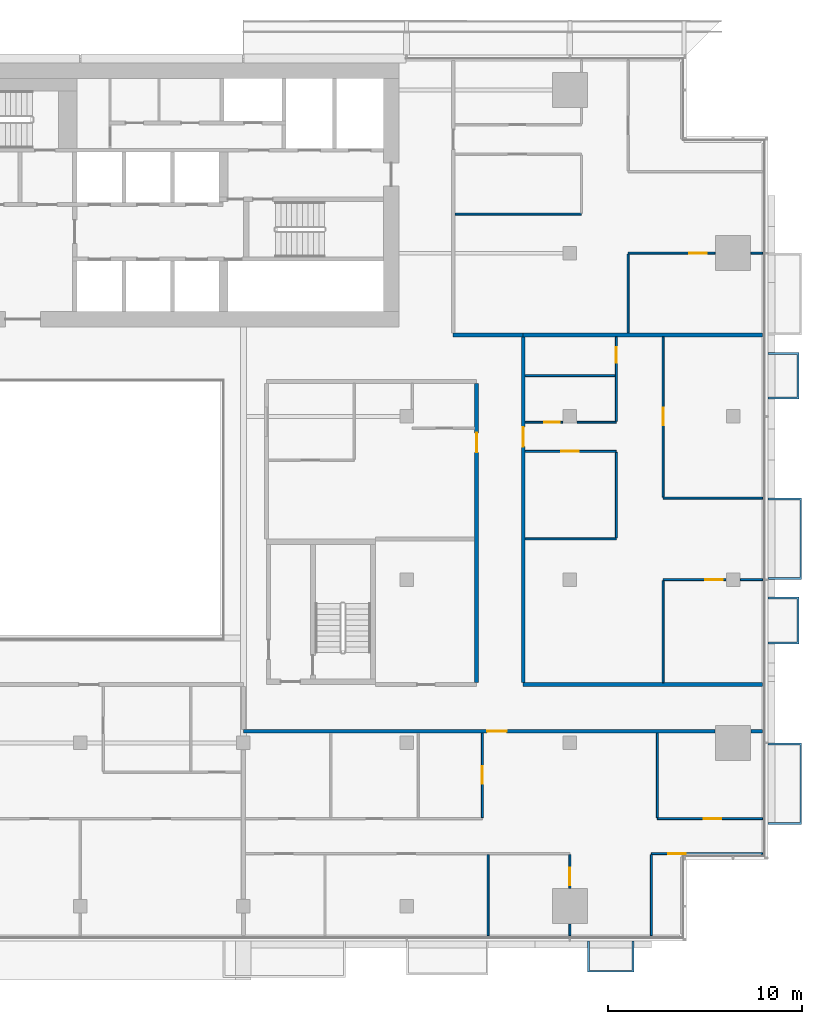
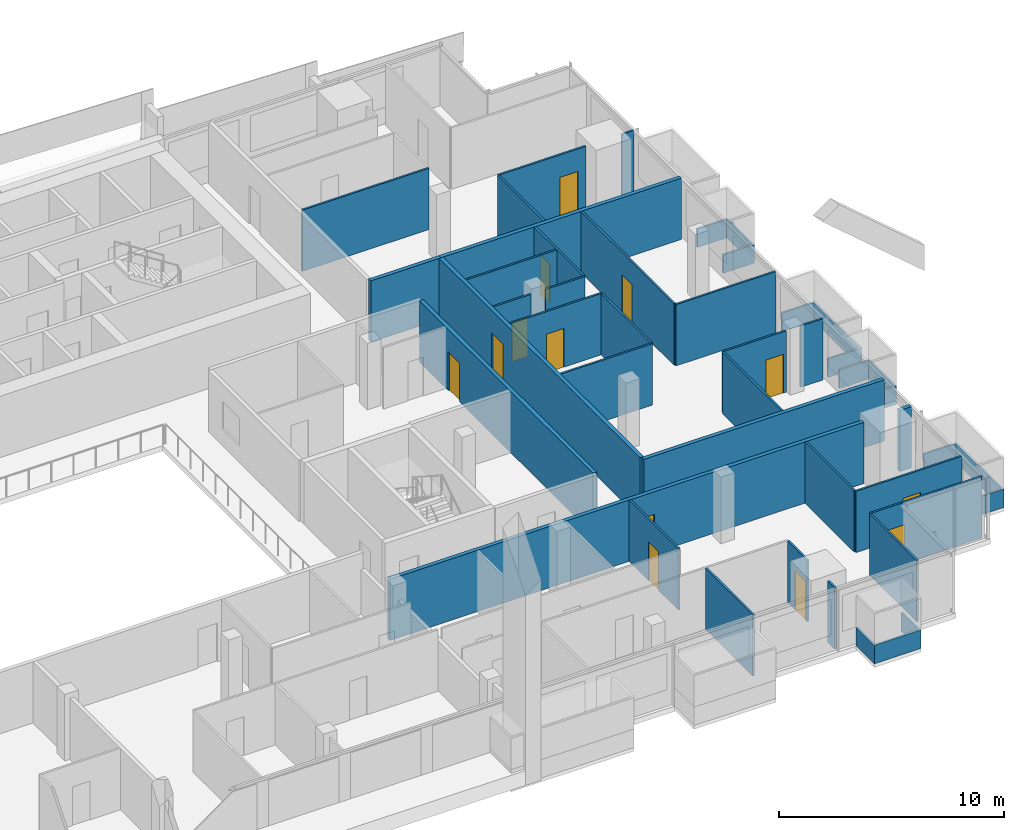
# One storey, part 24 of 31: 36 walls, 13 doors, 13 openings.
"""IFC4 building model written with IfcOpenShell, lengths in metres."""

from ifc_helpers import new_model, si_unit, direction, frame, frame_2d, origin, place, context, subcontext, project, spatial, polyline, rectangle, outline, extrude, material, layer, layer_set, type_object, element, fill, save


model = new_model("IFC4")

# Units and contexts
model_context = context("Model", 3, precision=1e-05, world=origin(), true_north=direction((0.0, 1.0)))
body_context = subcontext(model_context, "Body", "Model", "MODEL_VIEW")
ifc_project = project(units=[si_unit("LENGTHUNIT", "METRE"), si_unit("AREAUNIT", "SQUARE_METRE"), si_unit("VOLUMEUNIT", "CUBIC_METRE"), si_unit("PLANEANGLEUNIT", "RADIAN"), si_unit("MASSUNIT", "GRAM", prefix="KILO")], contexts=[model_context])

# Site, building, storey
site_placement = place(None, origin())
site = spatial("IfcSite", under=ifc_project, at=site_placement, CompositionType="ELEMENT")
building_placement = place(site_placement, origin())
building = spatial("IfcBuilding", under=site, at=building_placement, Name="Saffron Gate Tower", CompositionType="ELEMENT")
storey_placement = place(building_placement, frame((0.0, 0.0, 147.449951171875)))
storey = spatial("IfcBuildingStorey", under=building, at=storey_placement, Name="L35", CompositionType="ELEMENT", Elevation=147.449951171875)

# Wall, opening, door
ifc_material_1 = material(Name="Plasterboard on steel studs", Category="steel")
ifc_layer_1 = layer(ifc_material_1, 0.10009765625)
ifc_layer_set_1 = layer_set([ifc_layer_1], Name="PW1 Partition 100")
wall_type_1 = type_object("IfcWallType", Name="PW1 Partition 100", PredefinedType="PARTITIONING", material=ifc_layer_set_1)
wall_1_placement = place(storey_placement, frame((126.919921875, 34.5, 0.0), z_axis=(0.0, 0.0, 1.0), x_axis=(-1.0, 0.0, 0.0)))
wall_1 = element("IfcWall", 1, at=wall_1_placement, inside=storey, type_object=wall_type_1, Name="Partition C1-4", PredefinedType="PARTITIONING", context=body_context, shape_type="SweptSolid", body=[
    extrude(rectangle(XDim=5.719970703125, YDim=0.10009765625, at=frame_2d((2.85986328125, 0.0))), origin(), (0.0, 0.0, 1.0), 3.320068359375),
])
opening_1_placement = place(wall_1_placement, frame((3.96630859375, 0.0, 0.0)))
opening_1 = element("IfcOpeningElement", 2, at=opening_1_placement, cuts=wall_1, Name="Opening C1-22", PredefinedType="OPENING", context=body_context, shape_type="SweptSolid", body=[
    extrude(rectangle(XDim=0.89990234375, YDim=2.10009765625, at=frame_2d((0.449951171875, 1.050048828125))), frame((0.0, 0.06005859375, 0.0), z_axis=(0.0, -1.0, 0.0), x_axis=(1.0, 0.0, 0.0)), (0.0, 0.0, 1.0), 0.1201171875),
])
ifc_material_2 = material(Name="Timber door set", Category="wood")
door_type_1 = type_object("IfcDoorType", Name="RD1 Room door 900x2100", OperationType="NOTDEFINED", PredefinedType="DOOR", material=ifc_material_2)
door_1_placement = place(opening_1_placement, origin())
door_1 = element("IfcDoor", 3, at=door_1_placement, inside=storey, type_object=door_type_1, Name="Door C1-22", OperationType="SINGLE_SWING_RIGHT", OverallHeight=2.10009765625, OverallWidth=0.89990234375, PredefinedType="DOOR", context=body_context, shape_type="SweptSolid", body=[
    extrude(rectangle(XDim=0.89990234375, YDim=2.10009765625, at=frame_2d((0.449951171875, 1.050048828125))), frame((0.0, 0.02490234375, 0.0), z_axis=(0.0, -1.0, 0.0), x_axis=(1.0, 0.0, 0.0)), (0.0, 0.0, 1.0), 0.050048828125),
])
fill(opening_1, door_1)

wall_2_placement = place(storey_placement, frame((121.5, 36.300048828125, 0.0), z_axis=(0.0, 0.0, 1.0), x_axis=(1.0, 0.0, 0.0)))
wall_2 = element("IfcWall", 4, at=wall_2_placement, inside=storey, type_object=wall_type_1, Name="Partition C1-8", PredefinedType="PARTITIONING", context=body_context, shape_type="SweptSolid", body=[
    extrude(rectangle(XDim=5.419921875, YDim=0.10009765625, at=frame_2d((2.7099609375, 0.0))), origin(), (0.0, 0.0, 1.0), 3.320068359375),
])
opening_2_placement = place(wall_2_placement, frame((2.39990234375, 0.0, 0.0)))
opening_2 = element("IfcOpeningElement", 5, at=opening_2_placement, cuts=wall_2, Name="Opening C1-23", PredefinedType="OPENING", context=body_context, shape_type="SweptSolid", body=[
    extrude(rectangle(XDim=0.89990234375, YDim=2.10009765625, at=frame_2d((0.449951171875, 1.050048828125))), frame((0.0, 0.06005859375, 0.0), z_axis=(0.0, -1.0, 0.0), x_axis=(1.0, 0.0, 0.0)), (0.0, 0.0, 1.0), 0.1201171875),
])
door_2_placement = place(opening_2_placement, origin())
door_2 = element("IfcDoor", 6, at=door_2_placement, inside=storey, type_object=door_type_1, Name="Door C1-23", OperationType="SINGLE_SWING_RIGHT", OverallHeight=2.10009765625, OverallWidth=0.89990234375, PredefinedType="DOOR", context=body_context, shape_type="SweptSolid", body=[
    extrude(rectangle(XDim=0.89990234375, YDim=2.10009765625, at=frame_2d((0.449951171875, 1.050048828125))), frame((0.0, 0.02490234375, 0.0), z_axis=(0.0, -1.0, 0.0), x_axis=(1.0, 0.0, 0.0)), (0.0, 0.0, 1.0), 0.050048828125),
])
fill(opening_2, door_2)

wall_3_placement = place(storey_placement, frame((125.030029296875, 48.60009765625, 0.0), z_axis=(0.0, 0.0, 1.0), x_axis=(-1.0, 0.0, 0.0)))
wall_3 = element("IfcWall", 7, at=wall_3_placement, inside=storey, type_object=wall_type_1, Name="Partition C1-23", PredefinedType="PARTITIONING", context=body_context, shape_type="SweptSolid", body=[
    extrude(rectangle(XDim=3.22998046875, YDim=0.10009765625, at=frame_2d((1.614990234375, 0.0))), origin(), (0.0, 0.0, 1.0), 3.320068359375),
])
opening_3_placement = place(wall_3_placement, frame((0.14990234375, 0.0, 0.0)))
opening_3 = element("IfcOpeningElement", 8, at=opening_3_placement, cuts=wall_3, Name="Opening C1-31", PredefinedType="OPENING", context=body_context, shape_type="SweptSolid", body=[
    extrude(rectangle(XDim=0.89990234375, YDim=2.10009765625, at=frame_2d((0.449951171875, 1.050048828125))), frame((0.0, 0.06005859375, 0.0), z_axis=(0.0, -1.0, 0.0), x_axis=(1.0, 0.0, 0.0)), (0.0, 0.0, 1.0), 0.1201171875),
])
door_3_placement = place(opening_3_placement, origin())
door_3 = element("IfcDoor", 9, at=door_3_placement, inside=storey, type_object=door_type_1, Name="Door C1-31", OperationType="SINGLE_SWING_LEFT", OverallHeight=2.10009765625, OverallWidth=0.89990234375, PredefinedType="DOOR", context=body_context, shape_type="SweptSolid", body=[
    extrude(rectangle(XDim=0.89990234375, YDim=2.10009765625, at=frame_2d((0.449951171875, 1.050048828125))), frame((0.0, 0.02490234375, 0.0), z_axis=(0.0, -1.0, 0.0), x_axis=(1.0, 0.0, 0.0)), (0.0, 0.0, 1.0), 0.050048828125),
])
fill(opening_3, door_3)

# Walls
wall_4_placement = place(storey_placement, frame((125.77001953125, 48.60009765625, 0.0), z_axis=(0.0, 0.0, 1.0), x_axis=(1.0, 0.0, 0.0)))
element("IfcWall", 10, at=wall_4_placement, inside=storey, type_object=wall_type_1, Name="Partition C1-24", PredefinedType="PARTITIONING", context=body_context, shape_type="SweptSolid", body=[
    extrude(rectangle(XDim=1.14990234375, YDim=0.10009765625, at=frame_2d((0.574951171875, 0.0))), origin(), (0.0, 0.0, 1.0), 3.320068359375),
])
wall_5_placement = place(storey_placement, frame((114.699951171875, 50.699951171875, 0.0), z_axis=(0.0, 0.0, 1.0), x_axis=(1.0, 0.0, 0.0)))
element("IfcWall", 11, at=wall_5_placement, inside=storey, type_object=wall_type_1, Name="Partition C1-28", PredefinedType="PARTITIONING", context=body_context, shape_type="SweptSolid", body=[
    extrude(rectangle(XDim=4.699951171875, YDim=0.10009765625, at=frame_2d((2.35009765625, 0.0))), origin(), (0.0, 0.0, 1.0), 3.320068359375),
])
wall_6_placement = place(storey_placement, frame((121.800048828125, 52.800048828125, 0.0), z_axis=(0.0, 0.0, 1.0), x_axis=(1.0, 0.0, 0.0)))
element("IfcWall", 12, at=wall_6_placement, inside=storey, type_object=wall_type_1, Name="Partition C1-30", PredefinedType="PARTITIONING", context=body_context, shape_type="SweptSolid", body=[
    extrude(rectangle(XDim=5.119873046875, YDim=0.10009765625, at=frame_2d((2.56005859375, 0.0))), origin(), (0.0, 0.0, 1.0), 3.320068359375),
])

# Wall, opening, door
wall_7_placement = place(storey_placement, frame((119.39990234375, 55.199951171875, 0.0), z_axis=(0.0, 0.0, 1.0), x_axis=(-1.0, 0.0, 0.0)))
wall_7 = element("IfcWall", 13, at=wall_7_placement, inside=storey, type_object=wall_type_1, Name="Partition C1-34", PredefinedType="PARTITIONING", context=body_context, shape_type="SweptSolid", body=[
    extrude(rectangle(XDim=4.699951171875, YDim=0.10009765625, at=frame_2d((2.35009765625, 0.0))), origin(), (0.0, 0.0, 1.0), 3.320068359375),
])
opening_4_placement = place(wall_7_placement, frame((1.949951171875, 0.0, 0.0)))
opening_4 = element("IfcOpeningElement", 14, at=opening_4_placement, cuts=wall_7, Name="Opening C1-33", PredefinedType="OPENING", context=body_context, shape_type="SweptSolid", body=[
    extrude(rectangle(XDim=0.89990234375, YDim=2.10009765625, at=frame_2d((0.449951171875, 1.050048828125))), frame((0.0, 0.06005859375, 0.0), z_axis=(0.0, -1.0, 0.0), x_axis=(1.0, 0.0, 0.0)), (0.0, 0.0, 1.0), 0.1201171875),
])
door_4_placement = place(opening_4_placement, origin())
door_4 = element("IfcDoor", 15, at=door_4_placement, inside=storey, type_object=door_type_1, Name="Door C1-33", OperationType="SINGLE_SWING_RIGHT", OverallHeight=2.10009765625, OverallWidth=0.89990234375, PredefinedType="DOOR", context=body_context, shape_type="SweptSolid", body=[
    extrude(rectangle(XDim=0.89990234375, YDim=2.10009765625, at=frame_2d((0.449951171875, 1.050048828125))), frame((0.0, 0.02490234375, 0.0), z_axis=(0.0, -1.0, 0.0), x_axis=(1.0, 0.0, 0.0)), (0.0, 0.0, 1.0), 0.050048828125),
])
fill(opening_4, door_4)

wall_8_placement = place(storey_placement, frame((114.699951171875, 56.699951171875, 0.0), z_axis=(0.0, 0.0, 1.0), x_axis=(1.0, 0.0, 0.0)))
wall_8 = element("IfcWall", 16, at=wall_8_placement, inside=storey, type_object=wall_type_1, Name="Partition C1-36", PredefinedType="PARTITIONING", context=body_context, shape_type="SweptSolid", body=[
    extrude(rectangle(XDim=1.929931640625, YDim=0.10009765625, at=frame_2d((0.96484375, 0.0))), origin(), (0.0, 0.0, 1.0), 3.320068359375),
])
opening_5_placement = place(wall_8_placement, frame((0.97998046875, 0.0, 0.0)))
opening_5 = element("IfcOpeningElement", 17, at=opening_5_placement, cuts=wall_8, Name="Opening C1-49", PredefinedType="OPENING", context=body_context, shape_type="SweptSolid", body=[
    extrude(rectangle(XDim=0.800048828125, YDim=2.10009765625, at=frame_2d((0.39990234375, 1.050048828125))), frame((0.0, 0.06005859375, 0.0), z_axis=(0.0, -1.0, 0.0), x_axis=(1.0, 0.0, 0.0)), (0.0, 0.0, 1.0), 0.1201171875),
])
door_type_2 = type_object("IfcDoorType", Name="RD2 Bathroom door 800x2100", OperationType="NOTDEFINED", PredefinedType="DOOR", material=ifc_material_2)
door_5_placement = place(opening_5_placement, origin())
door_5 = element("IfcDoor", 18, at=door_5_placement, inside=storey, type_object=door_type_2, Name="Door C1-49", OperationType="SINGLE_SWING_RIGHT", OverallHeight=2.10009765625, OverallWidth=0.800048828125, PredefinedType="DOOR", context=body_context, shape_type="SweptSolid", body=[
    extrude(rectangle(XDim=0.800048828125, YDim=2.10009765625, at=frame_2d((0.39990234375, 1.050048828125))), frame((0.0, 0.02490234375, 0.0), z_axis=(0.0, -1.0, 0.0), x_axis=(1.0, 0.0, 0.0)), (0.0, 0.0, 1.0), 0.050048828125),
])
fill(opening_5, door_5)

# Walls
wall_9_placement = place(storey_placement, frame((117.3701171875, 56.699951171875, 0.0), z_axis=(0.0, 0.0, 1.0), x_axis=(1.0, 0.0, 0.0)))
element("IfcWall", 19, at=wall_9_placement, inside=storey, type_object=wall_type_1, Name="Partition C1-37", PredefinedType="PARTITIONING", context=body_context, shape_type="SweptSolid", body=[
    extrude(rectangle(XDim=2.02978515625, YDim=0.10009765625, at=frame_2d((1.014892578125, 0.0))), origin(), (0.0, 0.0, 1.0), 3.320068359375),
])
wall_10_placement = place(storey_placement, frame((114.699951171875, 59.10009765625, 0.0), z_axis=(0.0, 0.0, 1.0), x_axis=(1.0, 0.0, 0.0)))
element("IfcWall", 20, at=wall_10_placement, inside=storey, type_object=wall_type_1, Name="Partition C1-41", PredefinedType="PARTITIONING", context=body_context, shape_type="SweptSolid", body=[
    extrude(rectangle(XDim=4.650146484375, YDim=0.10009765625, at=frame_2d((2.3251953125, 0.0))), origin(), (0.0, 0.0, 1.0), 3.320068359375),
])

# Wall, opening, door
wall_11_placement = place(storey_placement, frame((124.47998046875, 65.39990234375, 0.0), z_axis=(0.0, 0.0, 1.0), x_axis=(-1.0, 0.0, 0.0)))
wall_11 = element("IfcWall", 21, at=wall_11_placement, inside=storey, type_object=wall_type_1, Name="Partition C1-46", PredefinedType="PARTITIONING", context=body_context, shape_type="SweptSolid", body=[
    extrude(rectangle(XDim=4.47998046875, YDim=0.10009765625, at=frame_2d((2.239990234375, 0.0))), origin(), (0.0, 0.0, 1.0), 3.320068359375),
])
opening_6_placement = place(wall_11_placement, frame((0.429931640625, 0.0, 0.0)))
opening_6 = element("IfcOpeningElement", 22, at=opening_6_placement, cuts=wall_11, Name="Opening C1-34", PredefinedType="OPENING", context=body_context, shape_type="SweptSolid", body=[
    extrude(rectangle(XDim=0.89990234375, YDim=2.10009765625, at=frame_2d((0.449951171875, 1.050048828125))), frame((0.0, 0.06005859375, 0.0), z_axis=(0.0, -1.0, 0.0), x_axis=(1.0, 0.0, 0.0)), (0.0, 0.0, 1.0), 0.1201171875),
])
door_6_placement = place(opening_6_placement, origin())
door_6 = element("IfcDoor", 23, at=door_6_placement, inside=storey, type_object=door_type_1, Name="Door C1-34", OperationType="SINGLE_SWING_LEFT", OverallHeight=2.10009765625, OverallWidth=0.89990234375, PredefinedType="DOOR", context=body_context, shape_type="SweptSolid", body=[
    extrude(rectangle(XDim=0.89990234375, YDim=2.10009765625, at=frame_2d((0.449951171875, 1.050048828125))), frame((0.0, 0.02490234375, 0.0), z_axis=(0.0, -1.0, 0.0), x_axis=(1.0, 0.0, 0.0)), (0.0, 0.0, 1.0), 0.050048828125),
])
fill(opening_6, door_6)

# Walls
wall_12_placement = place(storey_placement, frame((126.320068359375, 65.39990234375, 0.0), z_axis=(0.0, 0.0, 1.0), x_axis=(1.0, 0.0, 0.0)))
element("IfcWall", 24, at=wall_12_placement, inside=storey, type_object=wall_type_1, Name="Partition C1-47", PredefinedType="PARTITIONING", context=body_context, shape_type="SweptSolid", body=[
    extrude(rectangle(XDim=0.599853515625, YDim=0.10009765625, at=frame_2d((0.2998046875, 0.0))), origin(), (0.0, 0.0, 1.0), 3.320068359375),
])
wall_13_placement = place(storey_placement, frame((111.10009765625, 67.412109375, 0.0), z_axis=(0.0, 0.0, 1.0), x_axis=(1.0, 0.0, 0.0)))
element("IfcWall", 25, at=wall_13_placement, inside=storey, type_object=wall_type_1, Name="Partition C1-49", PredefinedType="PARTITIONING", context=body_context, shape_type="SweptSolid", body=[
    extrude(rectangle(XDim=6.5, YDim=0.10009765625, at=frame_2d((3.25, 0.0))), origin(), (0.0, 0.0, 1.0), 3.320068359375),
])

# Wall, opening, door
wall_14_placement = place(storey_placement, frame((112.5, 36.35009765625, 0.0), z_axis=(0.0, 0.0, 1.0), x_axis=(0.0, 1.0, 0.0)))
wall_14 = element("IfcWall", 26, at=wall_14_placement, inside=storey, type_object=wall_type_1, Name="Partition C1-102", PredefinedType="PARTITIONING", context=body_context, shape_type="SweptSolid", body=[
    extrude(rectangle(XDim=4.349853515625, YDim=0.10009765625, at=frame_2d((2.1748046875, 0.0))), origin(), (0.0, 0.0, 1.0), 3.320068359375),
])
opening_7_placement = place(wall_14_placement, frame((1.75, 0.0, 0.0)))
opening_7 = element("IfcOpeningElement", 27, at=opening_7_placement, cuts=wall_14, Name="Opening C1-24", PredefinedType="OPENING", context=body_context, shape_type="SweptSolid", body=[
    extrude(rectangle(XDim=0.89990234375, YDim=2.10009765625, at=frame_2d((0.449951171875, 1.050048828125))), frame((0.0, 0.06005859375, 0.0), z_axis=(0.0, -1.0, 0.0), x_axis=(1.0, 0.0, 0.0)), (0.0, 0.0, 1.0), 0.1201171875),
])
door_7_placement = place(opening_7_placement, origin())
door_7 = element("IfcDoor", 28, at=door_7_placement, inside=storey, type_object=door_type_1, Name="Door C1-24", OperationType="SINGLE_SWING_RIGHT", OverallHeight=2.10009765625, OverallWidth=0.89990234375, PredefinedType="DOOR", context=body_context, shape_type="SweptSolid", body=[
    extrude(rectangle(XDim=0.89990234375, YDim=2.10009765625, at=frame_2d((0.449951171875, 1.050048828125))), frame((0.0, 0.02490234375, 0.0), z_axis=(0.0, -1.0, 0.0), x_axis=(1.0, 0.0, 0.0)), (0.0, 0.0, 1.0), 0.050048828125),
])
fill(opening_7, door_7)

# Walls
wall_15_placement = place(storey_placement, frame((112.800048828125, 34.449951171875, 0.0), z_axis=(0.0, 0.0, 1.0), x_axis=(0.0, -1.0, 0.0)))
element("IfcWall", 29, at=wall_15_placement, inside=storey, type_object=wall_type_1, Name="Partition C1-103", PredefinedType="PARTITIONING", context=body_context, shape_type="SweptSolid", body=[
    extrude(rectangle(XDim=4.169921875, YDim=0.10009765625, at=frame_2d((2.0849609375, 0.0))), origin(), (0.0, 0.0, 1.0), 3.320068359375),
])
wall_16_placement = place(storey_placement, frame((117.0, 30.8798828125, 0.0), z_axis=(0.0, 0.0, 1.0), x_axis=(0.0, -1.0, 0.0)))
element("IfcWall", 30, at=wall_16_placement, inside=storey, type_object=wall_type_1, Name="Partition C1-105", PredefinedType="PARTITIONING", context=body_context, shape_type="SweptSolid", body=[
    extrude(rectangle(XDim=0.599853515625, YDim=0.10009765625, at=frame_2d((0.2998046875, 0.0))), origin(), (0.0, 0.0, 1.0), 3.320068359375),
])

# Wall, opening, door
wall_17_placement = place(storey_placement, frame((117.0, 32.719970703125, 0.0), z_axis=(0.0, 0.0, 1.0), x_axis=(0.0, 1.0, 0.0)))
wall_17 = element("IfcWall", 31, at=wall_17_placement, inside=storey, type_object=wall_type_1, Name="Partition C1-106", PredefinedType="PARTITIONING", context=body_context, shape_type="SweptSolid", body=[
    extrude(rectangle(XDim=1.72998046875, YDim=0.10009765625, at=frame_2d((0.864990234375, 0.0))), origin(), (0.0, 0.0, 1.0), 3.320068359375),
])
opening_8_placement = place(wall_17_placement, frame((0.14990234375, 0.0, 0.0)))
opening_8 = element("IfcOpeningElement", 32, at=opening_8_placement, cuts=wall_17, Name="Opening C1-21", PredefinedType="OPENING", context=body_context, shape_type="SweptSolid", body=[
    extrude(rectangle(XDim=0.89990234375, YDim=2.10009765625, at=frame_2d((0.449951171875, 1.050048828125))), frame((0.0, 0.06005859375, 0.0), z_axis=(0.0, -1.0, 0.0), x_axis=(1.0, 0.0, 0.0)), (0.0, 0.0, 1.0), 0.1201171875),
])
door_8_placement = place(opening_8_placement, origin())
door_8 = element("IfcDoor", 33, at=door_8_placement, inside=storey, type_object=door_type_1, Name="Door C1-21", OperationType="SINGLE_SWING_LEFT", OverallHeight=2.10009765625, OverallWidth=0.89990234375, PredefinedType="DOOR", context=body_context, shape_type="SweptSolid", body=[
    extrude(rectangle(XDim=0.89990234375, YDim=2.10009765625, at=frame_2d((0.449951171875, 1.050048828125))), frame((0.0, 0.02490234375, 0.0), z_axis=(0.0, -1.0, 0.0), x_axis=(1.0, 0.0, 0.0)), (0.0, 0.0, 1.0), 0.050048828125),
])
fill(opening_8, door_8)

# Wall
wall_18_placement = place(storey_placement, frame((119.39990234375, 55.14990234375, 0.0), z_axis=(0.0, 0.0, 1.0), x_axis=(0.0, -1.0, 0.0)))
element("IfcWall", 34, at=wall_18_placement, inside=storey, type_object=wall_type_1, Name="Partition C1-110", PredefinedType="PARTITIONING", context=body_context, shape_type="SweptSolid", body=[
    extrude(rectangle(XDim=4.39990234375, YDim=0.10009765625, at=frame_2d((2.199951171875, 0.0))), origin(), (0.0, 0.0, 1.0), 3.320068359375),
])

# Wall, opening, door
wall_19_placement = place(storey_placement, frame((119.39990234375, 56.75, 0.0), z_axis=(0.0, 0.0, 1.0), x_axis=(0.0, 1.0, 0.0)))
wall_19 = element("IfcWall", 35, at=wall_19_placement, inside=storey, type_object=wall_type_1, Name="Partition C1-111", PredefinedType="PARTITIONING", context=body_context, shape_type="SweptSolid", body=[
    extrude(rectangle(XDim=4.35009765625, YDim=0.10009765625, at=frame_2d((2.175048828125, 0.0))), origin(), (0.0, 0.0, 1.0), 3.320068359375),
])
opening_9_placement = place(wall_19_placement, frame((3.0, 0.0, 0.0)))
opening_9 = element("IfcOpeningElement", 36, at=opening_9_placement, cuts=wall_19, Name="Opening C1-50", PredefinedType="OPENING", context=body_context, shape_type="SweptSolid", body=[
    extrude(rectangle(XDim=0.800048828125, YDim=2.10009765625, at=frame_2d((0.39990234375, 1.050048828125))), frame((0.0, 0.06005859375, 0.0), z_axis=(0.0, -1.0, 0.0), x_axis=(1.0, 0.0, 0.0)), (0.0, 0.0, 1.0), 0.1201171875),
])
door_9_placement = place(opening_9_placement, origin())
door_9 = element("IfcDoor", 37, at=door_9_placement, inside=storey, type_object=door_type_2, Name="Door C1-50", OperationType="SINGLE_SWING_RIGHT", OverallHeight=2.10009765625, OverallWidth=0.800048828125, PredefinedType="DOOR", context=body_context, shape_type="SweptSolid", body=[
    extrude(rectangle(XDim=0.800048828125, YDim=2.10009765625, at=frame_2d((0.39990234375, 1.050048828125))), frame((0.0, 0.02490234375, 0.0), z_axis=(0.0, -1.0, 0.0), x_axis=(1.0, 0.0, 0.0)), (0.0, 0.0, 1.0), 0.050048828125),
])
fill(opening_9, door_9)

# Walls
wall_20_placement = place(storey_placement, frame((120.0, 65.35009765625, 0.0), z_axis=(0.0, 0.0, 1.0), x_axis=(0.0, -1.0, 0.0)))
element("IfcWall", 38, at=wall_20_placement, inside=storey, type_object=wall_type_1, Name="Partition C1-112", PredefinedType="PARTITIONING", context=body_context, shape_type="SweptSolid", body=[
    extrude(rectangle(XDim=4.050048828125, YDim=0.10009765625, at=frame_2d((2.02490234375, 0.0))), origin(), (0.0, 0.0, 1.0), 3.320068359375),
])
wall_21_placement = place(storey_placement, frame((121.199951171875, 34.449951171875, 0.0), z_axis=(0.0, 0.0, 1.0), x_axis=(0.0, -1.0, 0.0)))
element("IfcWall", 39, at=wall_21_placement, inside=storey, type_object=wall_type_1, Name="Partition C1-114", PredefinedType="PARTITIONING", context=body_context, shape_type="SweptSolid", body=[
    extrude(rectangle(XDim=4.169921875, YDim=0.10009765625, at=frame_2d((2.0849609375, 0.0))), origin(), (0.0, 0.0, 1.0), 3.320068359375),
])
wall_22_placement = place(storey_placement, frame((121.5, 40.699951171875, 0.0), z_axis=(0.0, 0.0, 1.0), x_axis=(0.0, -1.0, 0.0)))
element("IfcWall", 40, at=wall_22_placement, inside=storey, type_object=wall_type_1, Name="Partition C1-115", PredefinedType="PARTITIONING", context=body_context, shape_type="SweptSolid", body=[
    extrude(rectangle(XDim=4.349853515625, YDim=0.10009765625, at=frame_2d((2.1748046875, 0.0))), origin(), (0.0, 0.0, 1.0), 3.320068359375),
])
wall_23_placement = place(storey_placement, frame((121.800048828125, 48.550048828125, 0.0), z_axis=(0.0, 0.0, 1.0), x_axis=(0.0, -1.0, 0.0)))
element("IfcWall", 41, at=wall_23_placement, inside=storey, type_object=wall_type_1, Name="Partition C1-116", PredefinedType="PARTITIONING", context=body_context, shape_type="SweptSolid", body=[
    extrude(rectangle(XDim=5.25, YDim=0.10009765625, at=frame_2d((2.625, 0.0))), origin(), (0.0, 0.0, 1.0), 3.320068359375),
])

# Wall, opening, door
wall_24_placement = place(storey_placement, frame((121.800048828125, 61.10009765625, 0.0), z_axis=(0.0, 0.0, 1.0), x_axis=(0.0, -1.0, 0.0)))
wall_24 = element("IfcWall", 42, at=wall_24_placement, inside=storey, type_object=wall_type_1, Name="Partition C1-117", PredefinedType="PARTITIONING", context=body_context, shape_type="SweptSolid", body=[
    extrude(rectangle(XDim=8.25, YDim=0.10009765625, at=frame_2d((4.125, 0.0))), origin(), (0.0, 0.0, 1.0), 3.320068359375),
])
opening_10_placement = place(wall_24_placement, frame((3.64990234375, 0.0, 0.0)))
opening_10 = element("IfcOpeningElement", 43, at=opening_10_placement, cuts=wall_24, Name="Opening C1-32", PredefinedType="OPENING", context=body_context, shape_type="SweptSolid", body=[
    extrude(rectangle(XDim=0.89990234375, YDim=2.10009765625, at=frame_2d((0.449951171875, 1.050048828125))), frame((0.0, 0.06005859375, 0.0), z_axis=(0.0, -1.0, 0.0), x_axis=(1.0, 0.0, 0.0)), (0.0, 0.0, 1.0), 0.1201171875),
])
door_10_placement = place(opening_10_placement, origin())
door_10 = element("IfcDoor", 44, at=door_10_placement, inside=storey, type_object=door_type_1, Name="Door C1-32", OperationType="SINGLE_SWING_LEFT", OverallHeight=2.10009765625, OverallWidth=0.89990234375, PredefinedType="DOOR", context=body_context, shape_type="SweptSolid", body=[
    extrude(rectangle(XDim=0.89990234375, YDim=2.10009765625, at=frame_2d((0.449951171875, 1.050048828125))), frame((0.0, 0.02490234375, 0.0), z_axis=(0.0, -1.0, 0.0), x_axis=(1.0, 0.0, 0.0)), (0.0, 0.0, 1.0), 0.050048828125),
])
fill(opening_10, door_10)

# Wall
ifc_material_3 = material(Name="Clay brick masonry, rendered", Category="masonry")
ifc_layer_2 = layer(ifc_material_3, 0.199951171875)
ifc_layer_set_2 = layer_set([ifc_layer_2], Name="PW2 Demising wall 200")
wall_type_2 = type_object("IfcWallType", Name="PW2 Demising wall 200", PredefinedType="PARTITIONING", material=ifc_layer_set_2)
wall_25_placement = place(storey_placement, frame((114.60009765625, 61.199951171875, 0.0), z_axis=(0.0, 0.0, 1.0), x_axis=(1.0, 0.0, 0.0)))
element("IfcWall", 45, at=wall_25_placement, inside=storey, type_object=wall_type_2, Name="Wall C1-45", PredefinedType="PARTITIONING", context=body_context, shape_type="SweptSolid", body=[
    extrude(rectangle(XDim=12.31982421875, YDim=0.199951171875, at=frame_2d((6.159912109375, 0.0))), origin(), (0.0, 0.0, 1.0), 3.320068359375),
])

# Wall, opening, door
ifc_layer_3 = layer(ifc_material_3, 0.199951171875)
ifc_layer_set_3 = layer_set([ifc_layer_3], Name="PW3 Corridor wall 200")
wall_type_3 = type_object("IfcWallType", Name="PW3 Corridor wall 200", PredefinedType="PARTITIONING", material=ifc_layer_set_3)
wall_26_placement = place(storey_placement, frame((124.47998046875, 40.800048828125, 0.0), z_axis=(0.0, 0.0, 1.0), x_axis=(-1.0, 0.0, 0.0)))
wall_26 = element("IfcWall", 46, at=wall_26_placement, inside=storey, type_object=wall_type_3, Name="Wall C1-13", PredefinedType="PARTITIONING", context=body_context, shape_type="SweptSolid", body=[
    extrude(rectangle(XDim=24.280029296875, YDim=0.199951171875, at=frame_2d((12.14013671875, 0.0))), origin(), (0.0, 0.0, 1.0), 3.320068359375),
])
opening_11_placement = place(wall_26_placement, frame((10.72998046875, 0.0, 0.0)))
opening_11 = element("IfcOpeningElement", 47, at=opening_11_placement, cuts=wall_26, Name="Opening C1-4", PredefinedType="OPENING", context=body_context, shape_type="SweptSolid", body=[
    extrude(rectangle(XDim=1.0, YDim=2.10009765625, at=frame_2d((0.5, 1.050048828125))), frame((0.0, 0.10986328125, 0.0), z_axis=(0.0, -1.0, 0.0), x_axis=(1.0, 0.0, 0.0)), (0.0, 0.0, 1.0), 0.219970703125),
])
ifc_material_4 = material(Name="Timber fire door set", Category="wood")
door_type_3 = type_object("IfcDoorType", Name="FD1 Flat entry door 1000x2100", OperationType="NOTDEFINED", PredefinedType="DOOR", material=ifc_material_4)
door_11_placement = place(opening_11_placement, origin())
door_11 = element("IfcDoor", 48, at=door_11_placement, inside=storey, type_object=door_type_3, Name="Door C1-4", OperationType="SINGLE_SWING_RIGHT", OverallHeight=2.10009765625, OverallWidth=1.0, PredefinedType="DOOR", context=body_context, shape_type="SweptSolid", body=[
    extrude(rectangle(XDim=1.0, YDim=2.10009765625, at=frame_2d((0.5, 1.050048828125))), frame((0.0, 0.02490234375, 0.0), z_axis=(0.0, -1.0, 0.0), x_axis=(1.0, 0.0, 0.0)), (0.0, 0.0, 1.0), 0.050048828125),
])
fill(opening_11, door_11)

# Walls
wall_27_placement = place(storey_placement, frame((126.320068359375, 40.800048828125, 0.0), z_axis=(0.0, 0.0, 1.0), x_axis=(1.0, 0.0, 0.0)))
element("IfcWall", 49, at=wall_27_placement, inside=storey, type_object=wall_type_3, Name="Wall C1-14", PredefinedType="PARTITIONING", context=body_context, shape_type="SweptSolid", body=[
    extrude(rectangle(XDim=0.599853515625, YDim=0.199951171875, at=frame_2d((0.2998046875, 0.0))), origin(), (0.0, 0.0, 1.0), 3.320068359375),
])
wall_28_placement = place(storey_placement, frame((114.60009765625, 43.199951171875, 0.0), z_axis=(0.0, 0.0, 1.0), x_axis=(1.0, 0.0, 0.0)))
element("IfcWall", 50, at=wall_28_placement, inside=storey, type_object=wall_type_3, Name="Wall C1-19", PredefinedType="PARTITIONING", context=body_context, shape_type="SweptSolid", body=[
    extrude(rectangle(XDim=12.31982421875, YDim=0.199951171875, at=frame_2d((6.159912109375, 0.0))), origin(), (0.0, 0.0, 1.0), 3.320068359375),
])
wall_29_placement = place(storey_placement, frame((111.0, 61.199951171875, 0.0), z_axis=(0.0, 0.0, 1.0), x_axis=(1.0, 0.0, 0.0)))
element("IfcWall", 51, at=wall_29_placement, inside=storey, type_object=wall_type_3, Name="Wall C1-43", PredefinedType="PARTITIONING", context=body_context, shape_type="SweptSolid", body=[
    extrude(rectangle(XDim=3.60009765625, YDim=0.199951171875, at=frame_2d((1.800048828125, 0.0))), origin(), (0.0, 0.0, 1.0), 3.320068359375),
])

# Wall, opening, door
wall_30_placement = place(storey_placement, frame((112.199951171875, 43.300048828125, 0.0), z_axis=(0.0, 0.0, 1.0), x_axis=(0.0, 1.0, 0.0)))
wall_30 = element("IfcWall", 52, at=wall_30_placement, inside=storey, type_object=wall_type_3, Name="Wall C1-101", PredefinedType="PARTITIONING", context=body_context, shape_type="SweptSolid", body=[
    extrude(rectangle(XDim=15.39990234375, YDim=0.199951171875, at=frame_2d((7.699951171875, 0.0))), origin(), (0.0, 0.0, 1.0), 3.320068359375),
])
opening_12_placement = place(wall_30_placement, frame((11.85009765625, 0.0, 0.0)))
opening_12 = element("IfcOpeningElement", 53, at=opening_12_placement, cuts=wall_30, Name="Opening C1-10", PredefinedType="OPENING", context=body_context, shape_type="SweptSolid", body=[
    extrude(rectangle(XDim=1.0, YDim=2.10009765625, at=frame_2d((0.5, 1.050048828125))), frame((0.0, 0.10986328125, 0.0), z_axis=(0.0, -1.0, 0.0), x_axis=(1.0, 0.0, 0.0)), (0.0, 0.0, 1.0), 0.219970703125),
])
door_12_placement = place(opening_12_placement, origin())
door_12 = element("IfcDoor", 54, at=door_12_placement, inside=storey, type_object=door_type_3, Name="Door C1-10", OperationType="SINGLE_SWING_RIGHT", OverallHeight=2.10009765625, OverallWidth=1.0, PredefinedType="DOOR", context=body_context, shape_type="SweptSolid", body=[
    extrude(rectangle(XDim=1.0, YDim=2.10009765625, at=frame_2d((0.5, 1.050048828125))), frame((0.0, 0.02490234375, 0.0), z_axis=(0.0, -1.0, 0.0), x_axis=(1.0, 0.0, 0.0)), (0.0, 0.0, 1.0), 0.050048828125),
])
fill(opening_12, door_12)

wall_31_placement = place(storey_placement, frame((114.60009765625, 61.10009765625, 0.0), z_axis=(0.0, 0.0, 1.0), x_axis=(0.0, -1.0, 0.0)))
wall_31 = element("IfcWall", 55, at=wall_31_placement, inside=storey, type_object=wall_type_3, Name="Wall C1-104", PredefinedType="PARTITIONING", context=body_context, shape_type="SweptSolid", body=[
    extrude(rectangle(XDim=17.800048828125, YDim=0.199951171875, at=frame_2d((8.89990234375, 0.0))), origin(), (0.0, 0.0, 1.0), 3.320068359375),
])
opening_13_placement = place(wall_31_placement, frame((4.64990234375, 0.0, 0.0)))
opening_13 = element("IfcOpeningElement", 56, at=opening_13_placement, cuts=wall_31, Name="Opening C1-7", PredefinedType="OPENING", context=body_context, shape_type="SweptSolid", body=[
    extrude(rectangle(XDim=1.0, YDim=2.10009765625, at=frame_2d((0.5, 1.050048828125))), frame((0.0, 0.10986328125, 0.0), z_axis=(0.0, -1.0, 0.0), x_axis=(1.0, 0.0, 0.0)), (0.0, 0.0, 1.0), 0.219970703125),
])
door_13_placement = place(opening_13_placement, origin())
door_13 = element("IfcDoor", 57, at=door_13_placement, inside=storey, type_object=door_type_3, Name="Door C1-7", OperationType="SINGLE_SWING_LEFT", OverallHeight=2.10009765625, OverallWidth=1.0, PredefinedType="DOOR", context=body_context, shape_type="SweptSolid", body=[
    extrude(rectangle(XDim=1.0, YDim=2.10009765625, at=frame_2d((0.5, 1.050048828125))), frame((0.0, 0.02490234375, 0.0), z_axis=(0.0, -1.0, 0.0), x_axis=(1.0, 0.0, 0.0)), (0.0, 0.0, 1.0), 0.050048828125),
])
fill(opening_13, door_13)

# Walls
ifc_material_5 = material(Name="Rendered insulated panel, white")
ifc_layer_4 = layer(ifc_material_5, 0.10009765625)
ifc_layer_set_4 = layer_set([ifc_layer_4], Name="WB3 box parapet white")
wall_type_4 = type_object("IfcWallType", Name="WB3 box parapet white", PredefinedType="SOLIDWALL", material=ifc_layer_set_4)
wall_32_placement = place(storey_placement, origin())
element("IfcWall", 58, at=wall_32_placement, inside=storey, type_object=wall_type_4, Name="WINDOW BOX parapet", PredefinedType="SOLIDWALL", context=body_context, shape_type="SweptSolid", body=[
    extrude(outline(polyline([(117.89990234375, 30.0), (118.0, 30.0), (118.0, 28.5), (120.199951171875, 28.5), (120.199951171875, 30.0), (120.300048828125, 30.0), (120.300048828125, 28.39990234375), (117.89990234375, 28.39990234375), (117.89990234375, 30.0)])), origin(), (0.0, 0.0, 1.0), 1.0),
])
wall_33_placement = place(storey_placement, origin())
element("IfcWall", 59, at=wall_33_placement, inside=storey, type_object=wall_type_4, Name="WINDOW BOX parapet", PredefinedType="SOLIDWALL", context=body_context, shape_type="SweptSolid", body=[
    extrude(outline(polyline([(127.199951171875, 36.0), (127.199951171875, 36.10009765625), (128.8330078125, 36.10009765625), (128.8330078125, 40.10009765625), (127.199951171875, 40.10009765625), (127.199951171875, 40.199951171875), (128.93310546875, 40.199951171875), (128.93310546875, 36.0), (127.199951171875, 36.0)])), origin(), (0.0, 0.0, 1.0), 1.0),
])
wall_34_placement = place(storey_placement, origin())
element("IfcWall", 60, at=wall_34_placement, inside=storey, type_object=wall_type_4, Name="WINDOW BOX parapet", PredefinedType="SOLIDWALL", context=body_context, shape_type="SweptSolid", body=[
    extrude(outline(polyline([(127.199951171875, 45.300048828125), (127.199951171875, 45.39990234375), (128.699951171875, 45.39990234375), (128.699951171875, 47.60009765625), (127.199951171875, 47.60009765625), (127.199951171875, 47.699951171875), (128.800048828125, 47.699951171875), (128.800048828125, 45.300048828125), (127.199951171875, 45.300048828125)])), origin(), (0.0, 0.0, 1.0), 1.0),
])
wall_35_placement = place(storey_placement, origin())
element("IfcWall", 61, at=wall_35_placement, inside=storey, type_object=wall_type_4, Name="WINDOW BOX parapet", PredefinedType="SOLIDWALL", context=body_context, shape_type="SweptSolid", body=[
    extrude(outline(polyline([(127.199951171875, 48.60009765625), (127.199951171875, 48.699951171875), (128.8330078125, 48.699951171875), (128.8330078125, 52.699951171875), (127.199951171875, 52.699951171875), (127.199951171875, 52.800048828125), (128.93310546875, 52.800048828125), (128.93310546875, 48.60009765625), (127.199951171875, 48.60009765625)])), origin(), (0.0, 0.0, 1.0), 1.0),
])
wall_36_placement = place(storey_placement, origin())
element("IfcWall", 62, at=wall_36_placement, inside=storey, type_object=wall_type_4, Name="WINDOW BOX parapet", PredefinedType="SOLIDWALL", context=body_context, shape_type="SweptSolid", body=[
    extrude(outline(polyline([(127.199951171875, 57.89990234375), (127.199951171875, 58.0), (128.699951171875, 58.0), (128.699951171875, 60.199951171875), (127.199951171875, 60.199951171875), (127.199951171875, 60.300048828125), (128.800048828125, 60.300048828125), (128.800048828125, 57.89990234375), (127.199951171875, 57.89990234375)])), origin(), (0.0, 0.0, 1.0), 1.0),
])

save(model, "model.ifc")
